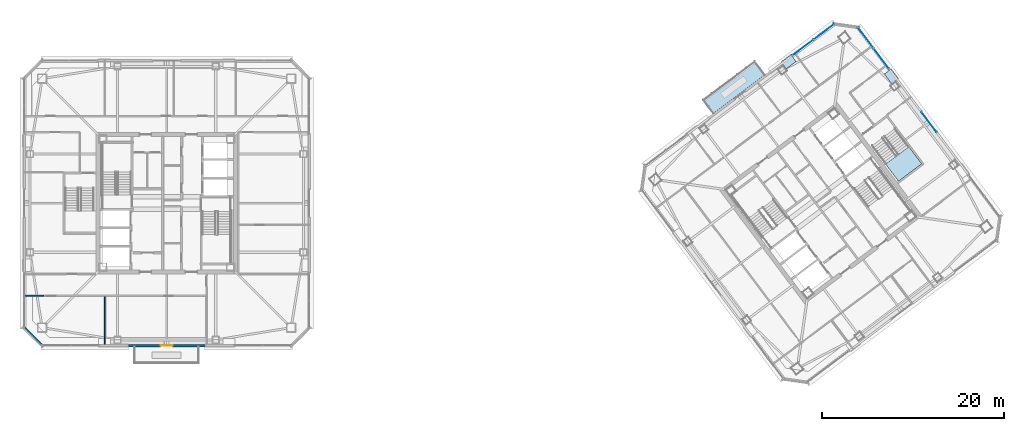
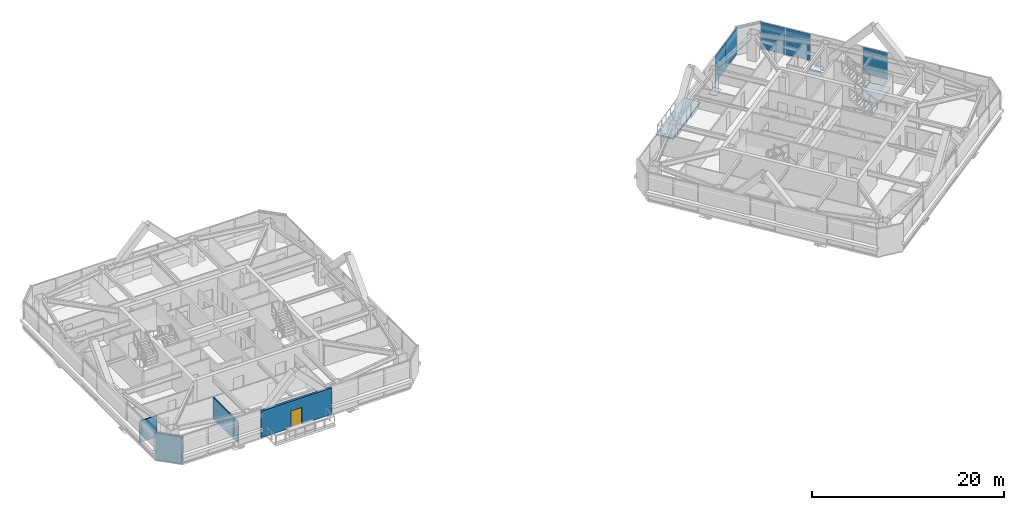
# One storey, part 29 of 39: 7 plates, 4 walls, 2 slabs, 1 door, 1 opening, 4 elements without a shape of their own.
"""IFC4 building model written with IfcOpenShell, lengths in metres."""

from ifc_helpers import new_model, si_unit, direction, frame, frame_2d, origin, origin_2d, place, context, subcontext, project, spatial, polyline, rectangle, outline, extrude, material, layer, layer_set, type_object, element, fill, aggregate, save


model = new_model("IFC4")

# Units and contexts
model_context = context("Model", 3, precision=1e-05, world=origin(), true_north=direction((0.0, 1.0)))
body_context = subcontext(model_context, "Body", "Model", "MODEL_VIEW")
ifc_project = project(units=[si_unit("LENGTHUNIT", "METRE"), si_unit("AREAUNIT", "SQUARE_METRE"), si_unit("VOLUMEUNIT", "CUBIC_METRE"), si_unit("PLANEANGLEUNIT", "RADIAN"), si_unit("MASSUNIT", "GRAM", prefix="KILO")], contexts=[model_context])

# Site, building, storey
site_placement = place(None, origin())
site = spatial("IfcSite", under=ifc_project, at=site_placement, CompositionType="ELEMENT")
building_placement = place(site_placement, origin())
building = spatial("IfcBuilding", under=site, at=building_placement, Name="Tashvorn Skyway Center", CompositionType="ELEMENT")
storey_placement = place(building_placement, frame((0.0, 0.0, 239.699951171875)))
storey = spatial("IfcBuildingStorey", under=building, at=storey_placement, Name="L65", CompositionType="ELEMENT", Elevation=239.699951171875)

# Curtain wall, plates
ifc_material_1 = material(Name="Thermally broken bronze-anodized aluminium 6063-T6", Category="aluminium")
curtain_wall_type = type_object("IfcCurtainWallType", Name="CW-CW-Z5", PredefinedType="NOTDEFINED", material=ifc_material_1)
curtain_wall_1_placement = place(storey_placement, origin())
curtain_wall_1 = element("IfcCurtainWall", 1, at=curtain_wall_1_placement, inside=storey, type_object=curtain_wall_type, Name="Tower 2 L65 North Curtain Wall R Glazing Group 1", PredefinedType="NOTDEFINED")
ifc_material_2 = material(Name="Low-E solar-control double insulating safety glass", Category="glass")
ifc_layer_1 = layer(ifc_material_2, 0.031982421875)
ifc_layer_set_1 = layer_set([ifc_layer_1], Name="Low-E solar-control double insulating safety glass")
plate_type_1 = type_object("IfcPlateType", Name="CWP-CW-Z5", PredefinedType="CURTAIN_PANEL", material=ifc_layer_set_1)
plate_1_placement = place(storey_placement, frame((112.01806640625, 49.113525390625, 0.0703125), z_axis=(0.0, 0.0, 1.0), x_axis=(0.799997961477, 0.600002718021, 0.0)))
plate_1 = element("IfcPlate", 2, at=plate_1_placement, type_object=plate_type_1, Name="CW-Z5 panel 1.1", PredefinedType="CURTAIN_PANEL", context=body_context, shape_type="SweptSolid", body=[
    extrude(rectangle(XDim=2.83837890625, YDim=0.031982421875, at=origin_2d()), origin(), (0.0, 0.0, 1.0), 3.409912109375),
])
plate_2_placement = place(storey_placement, frame((114.3447265625, 50.8583984375, 0.0703125), z_axis=(0.0, 0.0, 1.0), x_axis=(0.799997961477, 0.600002718021, 0.0)))
plate_2 = element("IfcPlate", 3, at=plate_2_placement, type_object=plate_type_1, Name="CW-Z5 panel 2.1", PredefinedType="CURTAIN_PANEL", context=body_context, shape_type="SweptSolid", body=[
    extrude(rectangle(XDim=2.83837890625, YDim=0.031982421875, at=origin_2d()), origin(), (0.0, 0.0, 1.0), 3.409912109375),
])
aggregate(curtain_wall_1, [plate_1, plate_2])

curtain_wall_2_placement = place(storey_placement, origin())
curtain_wall_2 = element("IfcCurtainWall", 4, at=curtain_wall_2_placement, inside=storey, type_object=curtain_wall_type, Name="Tower 2 L65 East Unitised Curtain Wall Glazing Group 1", PredefinedType="NOTDEFINED")
plate_3_placement = place(storey_placement, frame((118.9384765625, 50.21533203125, 0.0703125), z_axis=(0.0, 0.0, 1.0), x_axis=(0.599997247712, -0.800002064209, 0.0)))
plate_3 = element("IfcPlate", 5, at=plate_3_placement, type_object=plate_type_1, Name="CW-Z5 panel 1.1", PredefinedType="CURTAIN_PANEL", context=body_context, shape_type="SweptSolid", body=[
    extrude(rectangle(XDim=2.8017578125, YDim=0.031982421875, at=origin_2d()), origin(), (0.0, 0.0, 1.0), 3.409912109375),
])
plate_4_placement = place(storey_placement, frame((120.66162109375, 47.91796875, 0.0703125), z_axis=(0.0, 0.0, 1.0), x_axis=(0.599997247712, -0.800002064209, 0.0)))
plate_4 = element("IfcPlate", 6, at=plate_4_placement, type_object=plate_type_1, Name="CW-Z5 panel 2.1", PredefinedType="CURTAIN_PANEL", context=body_context, shape_type="SweptSolid", body=[
    extrude(rectangle(XDim=2.8017578125, YDim=0.031982421875, at=origin_2d()), origin(), (0.0, 0.0, 1.0), 3.409912109375),
])
aggregate(curtain_wall_2, [plate_3, plate_4])

# Curtain wall, plate
curtain_wall_3_placement = place(storey_placement, origin())
curtain_wall_3 = element("IfcCurtainWall", 7, at=curtain_wall_3_placement, inside=storey, type_object=curtain_wall_type, Name="Tower 2 L65 East Unitised Curtain Wall Glazing Group 2", PredefinedType="NOTDEFINED")
plate_5_placement = place(storey_placement, frame((125.904052734375, 40.927978515625, 0.0703125), z_axis=(0.0, 0.0, 1.0), x_axis=(0.599988990967, -0.800008256656, 0.0)))
plate_5 = element("IfcPlate", 8, at=plate_5_placement, type_object=plate_type_1, Name="CW-Z5 panel 1.1", PredefinedType="CURTAIN_PANEL", context=body_context, shape_type="SweptSolid", body=[
    extrude(rectangle(XDim=2.7666015625, YDim=0.031982421875, at=origin_2d()), origin(), (0.0, 0.0, 1.0), 3.409912109375),
])
aggregate(curtain_wall_3, [plate_5])

# Plates
ifc_material_3 = material(Name="Steel ASTM A572 Grade 50", Category="steel")
ifc_layer_2 = layer(ifc_material_3, 0.044921875)
ifc_layer_set_2 = layer_set([ifc_layer_2], Name="Steel ASTM A572 Grade 50")
plate_type_2 = type_object("IfcPlateType", Name="PLT-GUSSET-45", PredefinedType="USERDEFINED", material=ifc_layer_set_2)
for number, where, z_axis, x_axis, name in (
    (9, (121.763916015625, 45.947998046875, -0.472412109375), (0.0, 0.0, 1.0), (-0.600000004945, 0.799999996291, 0.0), "Tower 2 Zone 6 E Mid-Chevron Node Gusset R"),
    (10, (110.451904296875, 47.56396484375, -0.472412109375), (0.0, 0.0, 1.0), (-0.799999996291, -0.600000004945, 0.0), "Tower 2 Zone 6 N Mid-Chevron Node Gusset L"),
):
    element("IfcPlate", number, at=place(storey_placement, frame(where, z_axis=z_axis, x_axis=x_axis)), inside=storey, type_object=plate_type_2, Name=name, ObjectType="GUSSET PLATE", PredefinedType="USERDEFINED", context=body_context, shape_type="SweptSolid", body=[
        extrude(rectangle(XDim=1.35009765625, YDim=0.949951171875, at=origin_2d()), origin(), (0.0, 0.0, 1.0), 0.044921875),
    ])

# Stair, slab
ifc_material_4 = material(Name="Concrete C40/50", Category="concrete")
stair_type = type_object("IfcStairType", Name="STAIR-CORE-1500", PredefinedType="HALF_TURN_STAIR", material=ifc_material_4)
stair_placement = place(storey_placement, origin())
stair = element("IfcStair", 11, at=stair_placement, inside=storey, type_object=stair_type, Name="L65 Tower 2 Exit Stair 3", PredefinedType="HALF_TURN_STAIR")
ifc_layer_3 = layer(ifc_material_4, 0.199951171875)
ifc_layer_set_3 = layer_set([ifc_layer_3], Name="Concrete C40/50")
slab_type_1 = type_object("IfcSlabType", Name="SLAB-LAND-200", PredefinedType="LANDING", material=ifc_layer_set_3)
slab_1_placement = place(storey_placement, frame((0.0, 0.0, 1.574951171875)))
slab_1 = element("IfcSlab", 12, at=slab_1_placement, type_object=slab_type_1, Name="ST-T2-3 landing 1", PredefinedType="LANDING", context=body_context, shape_type="SweptSolid", body=[
    extrude(outline(polyline([(121.123291015625, 36.302490234375), (122.5439453125, 34.407958984375), (125.10400390625, 36.327880859375), (123.68310546875, 38.222412109375), (121.123291015625, 36.302490234375)])), origin(), (0.0, 0.0, 1.0), 0.2001953125),
])
aggregate(stair, [slab_1])

# Slab
ifc_layer_4 = layer(ifc_material_4, 0.179931640625)
ifc_layer_set_4 = layer_set([ifc_layer_4], Name="Concrete C40/50")
slab_type_2 = type_object("IfcSlabType", Name="SLAB-TERR-200", PredefinedType="FLOOR", material=ifc_layer_set_4)
slab_2_placement = place(storey_placement, frame((0.0, 0.0, -0.179931640625)))
element("IfcSlab", 13, at=slab_2_placement, inside=storey, type_object=slab_type_2, Name="Tower 2 L65 Spiral Planted Terrace Slab", PredefinedType="FLOOR", context=body_context, shape_type="SweptSolid", body=[
    extrude(outline(polyline([(102.1259765625, 41.83203125), (107.885986328125, 46.152099609375), (106.739990234375, 47.679931640625), (100.97998046875, 43.360107421875), (102.1259765625, 41.83203125)])), origin(), (0.0, 0.0, 1.0), 0.179931640625),
])

# Wall, opening, door
ifc_material_5 = material(Name="Precast concrete C40/50", Category="concrete")
ifc_layer_5 = layer(ifc_material_5, 0.280029296875)
ifc_layer_set_5 = layer_set([ifc_layer_5], Name="Precast concrete C40/50")
wall_type_1 = type_object("IfcWallType", Name="WALL-EXT-280", PredefinedType="SOLIDWALL", material=ifc_layer_set_5)
wall_1_placement = place(storey_placement, frame((46.25, 16.320068359375, 0.0), z_axis=(0.0, 0.0, 1.0), x_axis=(-1.0, 0.0, 0.0)))
wall_1 = element("IfcWall", 14, at=wall_1_placement, inside=storey, type_object=wall_type_1, Name="Tower 1 L65 South Terrace Portal Wall", PredefinedType="SOLIDWALL", context=body_context, shape_type="SweptSolid", body=[
    extrude(rectangle(XDim=8.5, YDim=0.280029296875, at=frame_2d((4.25, 0.0))), origin(), (0.0, 0.0, 1.0), 3.3701171875),
])
opening_placement = place(wall_1_placement, frame((3.60009765625, 0.0, 0.0)))
opening = element("IfcOpeningElement", 15, at=opening_placement, cuts=wall_1, Name="Opening D-TER-1300", PredefinedType="OPENING", context=body_context, shape_type="SweptSolid", body=[
    extrude(rectangle(XDim=1.300048828125, YDim=2.14990234375, at=frame_2d((0.64990234375, 1.074951171875))), frame((0.0, 0.14990234375, 0.0), z_axis=(0.0, -1.0, 0.0), x_axis=(1.0, 0.0, 0.0)), (0.0, 0.0, 1.0), 0.300048828125),
])
door_type = type_object("IfcDoorType", Name="DOOR-TERR-1300", OperationType="NOTDEFINED", PredefinedType="DOOR", material=ifc_material_1)
door_placement = place(opening_placement, origin())
door = element("IfcDoor", 16, at=door_placement, inside=storey, type_object=door_type, Name="Tower 1 L65 Terrace Access Door", OperationType="SINGLE_SWING_LEFT", OverallHeight=2.14990234375, OverallWidth=1.300048828125, PredefinedType="DOOR", context=body_context, shape_type="SweptSolid", body=[
    extrude(rectangle(XDim=1.300048828125, YDim=2.14990234375, at=frame_2d((0.64990234375, 1.074951171875))), frame((0.0, 0.02490234375, 0.0), z_axis=(0.0, -1.0, 0.0), x_axis=(1.0, 0.0, 0.0)), (0.0, 0.0, 1.0), 0.050048828125),
])
fill(opening, door)

# Walls
wall_2_placement = place(storey_placement, frame((28.300048828125, 16.300048828125, 0.0), z_axis=(0.0, 0.0, 1.0), x_axis=(-0.707106781187, 0.707106781187, 0.0)))
element("IfcWall", 17, at=wall_2_placement, inside=storey, type_object=wall_type_1, Name="Tower 1 L65 SW Precast Chamfer Wall", PredefinedType="SOLIDWALL", context=body_context, shape_type="SweptSolid", body=[
    extrude(rectangle(XDim=2.828369140625, YDim=0.280029296875, at=frame_2d((1.4140625, 0.0))), origin(), (0.0, 0.0, 1.0), 3.3701171875),
])
ifc_material_6 = material(Name="Gypsum board on cold-formed steel stud framing", Category="steel")
ifc_layer_6 = layer(ifc_material_6, 0.110107421875)
ifc_layer_set_6 = layer_set([ifc_layer_6], Name="Gypsum board on cold-formed steel stud framing")
wall_type_2 = type_object("IfcWallType", Name="WALL-PART-110", PredefinedType="PARTITIONING", material=ifc_layer_set_6)
wall_3_placement = place(storey_placement, frame((35.199951171875, 16.469970703125, 0.0), z_axis=(0.0, 0.0, 1.0), x_axis=(0.0, 1.0, 0.0)))
element("IfcWall", 18, at=wall_3_placement, inside=storey, type_object=wall_type_2, Name="Tower 1 L65 South Suite Partition 1", PredefinedType="PARTITIONING", context=body_context, shape_type="SweptSolid", body=[
    extrude(rectangle(XDim=5.25, YDim=0.110107421875, at=frame_2d((2.625, 0.0))), origin(), (0.0, 0.0, 1.0), 2.72314453125),
])
ifc_layer_7 = layer(ifc_material_6, 0.135009765625)
ifc_layer_set_7 = layer_set([ifc_layer_7], Name="Gypsum board on cold-formed steel stud framing")
wall_type_3 = type_object("IfcWallType", Name="WALL-PART-135", PredefinedType="PARTITIONING", material=ifc_layer_set_7)
wall_4_placement = place(storey_placement, frame((26.320068359375, 21.800048828125, 0.0), z_axis=(0.0, 0.0, 1.0), x_axis=(1.0, 0.0, 0.0)))
element("IfcWall", 19, at=wall_4_placement, inside=storey, type_object=wall_type_3, Name="Tower 1 L65 South-West Suite North Wall", PredefinedType="PARTITIONING", context=body_context, shape_type="SweptSolid", body=[
    extrude(rectangle(XDim=2.1298828125, YDim=0.135009765625, at=frame_2d((1.06494140625, 0.0))), origin(), (0.0, 0.0, 1.0), 2.72314453125),
])

save(model, "model.ifc")
